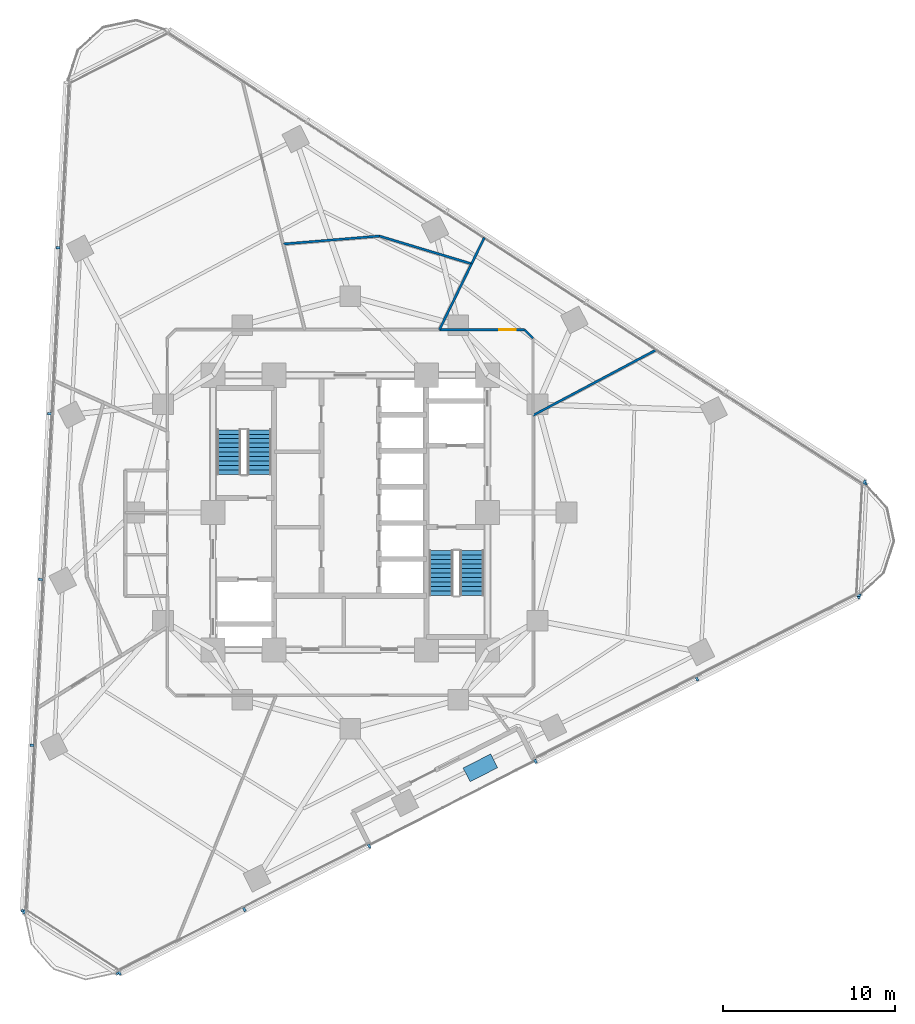
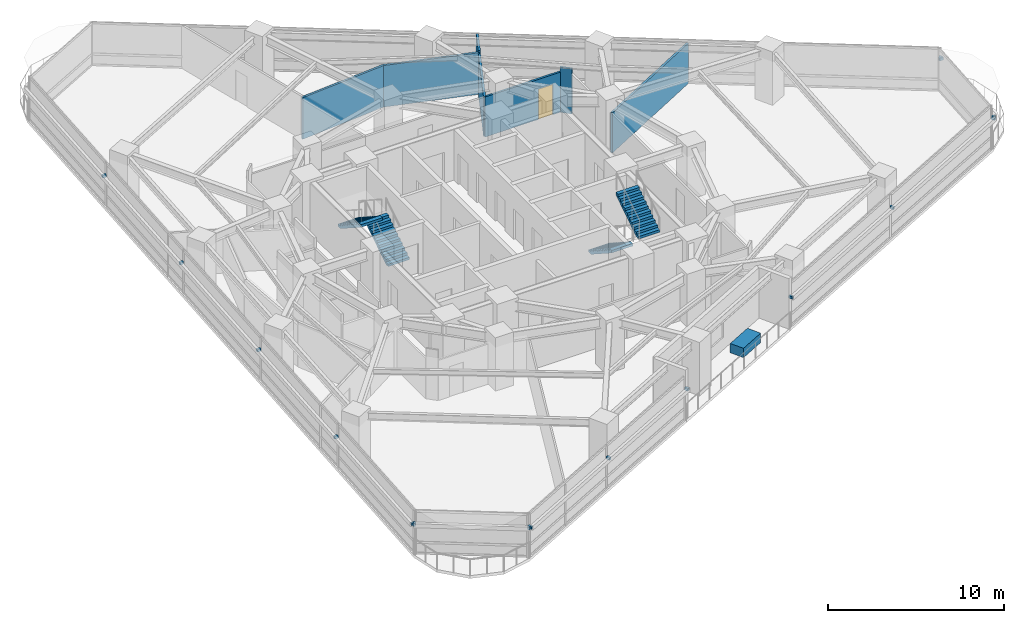
# One storey, part 10 of 14: 17 discrete accessories, 7 walls, 4 stair flights, 1 door, 1 opening, 2 elements without a shape of their own.
"""IFC4 building model written with IfcOpenShell, lengths in metres."""

from ifc_helpers import new_model, si_unit, direction, frame, frame_2d, origin, origin_2d, place, context, subcontext, project, spatial, polyline, rectangle, outline, extrude, material, layer, layer_set, type_object, element, fill, aggregate, save


model = new_model("IFC4")

# Units and contexts
model_context = context("Model", 3, precision=1e-05, world=origin(), true_north=direction((0.0, 1.0)))
body_context = subcontext(model_context, "Body", "Model", "MODEL_VIEW")
ifc_project = project(units=[si_unit("LENGTHUNIT", "METRE"), si_unit("AREAUNIT", "SQUARE_METRE"), si_unit("VOLUMEUNIT", "CUBIC_METRE"), si_unit("PLANEANGLEUNIT", "RADIAN"), si_unit("MASSUNIT", "GRAM", prefix="KILO")], contexts=[model_context])

# Site, building, storey
site_placement = place(None, origin())
site = spatial("IfcSite", under=ifc_project, at=site_placement, CompositionType="ELEMENT")
building_placement = place(site_placement, origin())
building = spatial("IfcBuilding", under=site, at=building_placement, Name="Terralouvre Media Tower", CompositionType="ELEMENT")
storey_placement = place(building_placement, frame((0.0, 0.0, 131.0)))
storey = spatial("IfcBuildingStorey", under=building, at=storey_placement, Name="L33", CompositionType="ELEMENT", Elevation=131.0)

# Wall
ifc_material_1 = material(Name="Fire-rated gypsum board drywall partition")
ifc_layer = layer(ifc_material_1, 0.135009765625, Name="Newsroom Acoustic Partition PT-135")
ifc_layer_set = layer_set([ifc_layer], Name="Fire-rated gypsum board drywall partition")
wall_type = type_object("IfcWallType", Name="Newsroom Acoustic Partition PT-135", PredefinedType="PARTITIONING", material=ifc_layer_set)
wall_1_placement = place(storey_placement, frame((10.64990234375, 10.14990234375, 0.0), z_axis=(0.0, 0.0, 1.0), x_axis=(-0.707106781187, 0.707106781187, 0.0)))
element("IfcWall", 1, at=wall_1_placement, inside=storey, type_object=wall_type, Name="L33 Interior Partition 013", PredefinedType="PARTITIONING", context=body_context, shape_type="SweptSolid", body=[
    extrude(rectangle(XDim=0.70703125, YDim=0.135009765625, at=frame_2d((0.353515625, 0.0))), origin(), (0.0, 0.0, 1.0), 3.125),
])

# Wall, opening, door
wall_2_placement = place(storey_placement, frame((10.14990234375, 10.64990234375, 0.0), z_axis=(0.0, 0.0, 1.0), x_axis=(-1.0, 0.0, 0.0)))
wall_2 = element("IfcWall", 2, at=wall_2_placement, inside=storey, type_object=wall_type, Name="L33 Interior Partition 014", PredefinedType="PARTITIONING", context=body_context, shape_type="SweptSolid", body=[
    extrude(rectangle(XDim=4.955810546875, YDim=0.135009765625, at=frame_2d((2.47802734375, 0.0))), origin(), (0.0, 0.0, 1.0), 2.784912109375),
])
opening_placement = place(wall_2_placement, frame((0.51611328125, 0.0, 0.0)))
opening = element("IfcOpeningElement", 3, at=opening_placement, cuts=wall_2, Name="Opening ID-02-95X210", PredefinedType="OPENING", context=body_context, shape_type="SweptSolid", body=[
    extrude(rectangle(XDim=0.949951171875, YDim=2.10009765625, at=frame_2d((0.47509765625, 1.050048828125))), frame((0.0, 0.077392578125, 0.0), z_axis=(0.0, -1.0, 0.0), x_axis=(1.0, 0.0, 0.0)), (0.0, 0.0, 1.0), 0.155029296875),
])
ifc_material_2 = material(Name="Engineered hardwood acoustic timber leaf", Category="wood")
door_type = type_object("IfcDoorType", Name="Office and Meeting Room Door ID-02 (950x2100)", OperationType="NOTDEFINED", PredefinedType="DOOR", material=ifc_material_2)
door_placement = place(opening_placement, origin())
door = element("IfcDoor", 4, at=door_placement, inside=storey, type_object=door_type, Name="L33 Literary Salon Lounge 6 Door", OperationType="SINGLE_SWING_RIGHT", OverallHeight=2.10009765625, OverallWidth=0.949951171875, PredefinedType="DOOR", context=body_context, shape_type="SweptSolid", body=[
    extrude(rectangle(XDim=0.949951171875, YDim=2.10009765625, at=frame_2d((0.47509765625, 1.050048828125))), frame((0.0, 0.02490234375, 0.0), z_axis=(0.0, -1.0, 0.0), x_axis=(1.0, 0.0, 0.0)), (0.0, 0.0, 1.0), 0.050048828125),
])
fill(opening, door)

# Walls
wall_3_placement = place(storey_placement, frame((17.8603515625, 9.49658203125, 0.0), z_axis=(0.0, 0.0, 1.0), x_axis=(-0.882966259968, -0.469436453376, 0.0)))
element("IfcWall", 5, at=wall_3_placement, inside=storey, type_object=wall_type, Name="L33 Interior Partition 036", PredefinedType="PARTITIONING", context=body_context, shape_type="SweptSolid", body=[
    extrude(rectangle(XDim=8.166259765625, YDim=0.135009765625, at=frame_2d((4.0830078125, 0.0))), origin(), (0.0, 0.0, 1.0), 2.784912109375),
])
wall_4_placement = place(storey_placement, frame((7.069091796875, 14.492919921875, 0.0), z_axis=(0.0, 0.0, 1.0), x_axis=(-0.438491124388, -0.898735519401, 0.0)))
element("IfcWall", 6, at=wall_4_placement, inside=storey, type_object=wall_type, Name="L33 Interior Partition 037", PredefinedType="PARTITIONING", context=body_context, shape_type="SweptSolid", body=[
    extrude(rectangle(XDim=4.276123046875, YDim=0.135009765625, at=frame_2d((2.13818359375, 0.0))), origin(), (0.0, 0.0, 1.0), 2.784912109375),
])
wall_5_placement = place(storey_placement, frame((7.8134765625, 16.02099609375, 0.0), z_axis=(0.0, 0.0, 1.0), x_axis=(-0.437939658317, -0.899004369107, 0.0)))
element("IfcWall", 7, at=wall_5_placement, inside=storey, type_object=wall_type, Name="L33 Interior Partition 038", PredefinedType="PARTITIONING", context=body_context, shape_type="SweptSolid", body=[
    extrude(rectangle(XDim=1.69970703125, YDim=0.135009765625, at=frame_2d((0.849853515625, 0.0))), origin(), (0.0, 0.0, 1.0), 2.985107421875),
])
wall_6_placement = place(storey_placement, frame((7.069091796875, 14.492919921875, 0.0), z_axis=(0.0, 0.0, 1.0), x_axis=(-0.957562573124, 0.288225464789, 0.0)))
element("IfcWall", 8, at=wall_6_placement, inside=storey, type_object=wall_type, Name="L33 Interior Partition 039", PredefinedType="PARTITIONING", context=body_context, shape_type="SweptSolid", body=[
    extrude(rectangle(XDim=5.6142578125, YDim=0.135009765625, at=frame_2d((2.80712890625, 0.0))), origin(), (0.0, 0.0, 1.0), 2.885009765625),
])
wall_7_placement = place(storey_placement, frame((1.693115234375, 16.111083984375, 0.0), z_axis=(0.0, 0.0, 1.0), x_axis=(-0.996561637531, -0.082854707786, 0.0)))
element("IfcWall", 9, at=wall_7_placement, inside=storey, type_object=wall_type, Name="L33 Interior Partition 040", PredefinedType="PARTITIONING", context=body_context, shape_type="SweptSolid", body=[
    extrude(rectangle(XDim=5.61328125, YDim=0.135009765625, at=frame_2d((2.806640625, 0.0))), origin(), (0.0, 0.0, 1.0), 2.885009765625),
])

# Stair, stair flights
ifc_material_3 = material(Name="Concrete C45/55", Category="concrete")
stair_type_1 = type_object("IfcStairType", Name="Dogleg Stair Assembly ST-01", PredefinedType="HALF_TURN_STAIR", material=ifc_material_3)
stair_1_placement = place(storey_placement, origin())
stair_1 = element("IfcStair", 10, at=stair_1_placement, inside=storey, type_object=stair_type_1, Name="L33 Core Pressurised Exit Stair ST-01", PredefinedType="HALF_TURN_STAIR")
ifc_material_4 = material(Name="Concrete C45/55", Category="concrete")
stair_flight_type = type_object("IfcStairFlightType", Name="Reinforced Concrete Stair Flight SF-RC1", PredefinedType="STRAIGHT", material=ifc_material_4)
stair_flight_1_placement = place(storey_placement, frame((-5.300048828125, 2.219970703125, 0.0), z_axis=(0.0, 0.0, 1.0), x_axis=(0.0, 1.0, 0.0)))
stair_flight_1 = element("IfcStairFlight", 11, at=stair_flight_1_placement, type_object=stair_flight_type, Name="ST-01 flight 1", NumberOfRisers=11, NumberOfTreads=10, PredefinedType="STRAIGHT", RiserHeight=0.168181818, TreadLength=0.26, context=body_context, shape_type="SweptSolid", body=[
    extrude(outline(polyline([(0.0, 0.0), (0.0, 0.168212890625), (0.260009765625, 0.168212890625), (0.260009765625, 0.33642578125), (0.52001953125, 0.33642578125), (0.52001953125, 0.504638671875), (0.780029296875, 0.504638671875), (0.780029296875, 0.672607421875), (1.0400390625, 0.672607421875), (1.0400390625, 0.8408203125), (1.300048828125, 0.8408203125), (1.300048828125, 1.009033203125), (1.56005859375, 1.009033203125), (1.56005859375, 1.17724609375), (1.820068359375, 1.17724609375), (1.820068359375, 1.345458984375), (2.080078125, 1.345458984375), (2.080078125, 1.513671875), (2.340087890625, 1.513671875), (2.340087890625, 1.681884765625), (2.60009765625, 1.681884765625), (2.60009765625, 1.85009765625), (2.60009765625, 1.503173828125), (0.27587890625, 0.0), (0.0, 0.0)])), frame((0.0, 0.699951171875, 0.0), z_axis=(0.0, -1.0, 0.0), x_axis=(1.0, 0.0, 0.0)), (0.0, 0.0, 1.0), 1.39990234375),
])
stair_flight_2_placement = place(storey_placement, frame((-7.080078125, 4.820068359375, 1.85009765625), z_axis=(0.0, 0.0, 1.0), x_axis=(0.0, -1.0, 0.0)))
stair_flight_2 = element("IfcStairFlight", 12, at=stair_flight_2_placement, type_object=stair_flight_type, Name="ST-01 flight 2", NumberOfRisers=11, NumberOfTreads=10, PredefinedType="STRAIGHT", RiserHeight=0.168181818, TreadLength=0.26, context=body_context, shape_type="SweptSolid", body=[
    extrude(outline(polyline([(0.0, 0.0), (0.0, 0.168212890625), (0.260009765625, 0.168212890625), (0.260009765625, 0.33642578125), (0.52001953125, 0.33642578125), (0.52001953125, 0.504638671875), (0.780029296875, 0.504638671875), (0.780029296875, 0.672607421875), (1.0400390625, 0.672607421875), (1.0400390625, 0.8408203125), (1.300048828125, 0.8408203125), (1.300048828125, 1.009033203125), (1.56005859375, 1.009033203125), (1.56005859375, 1.17724609375), (1.820068359375, 1.17724609375), (1.820068359375, 1.345458984375), (2.080078125, 1.345458984375), (2.080078125, 1.513671875), (2.340087890625, 1.513671875), (2.340087890625, 1.681884765625), (2.60009765625, 1.681884765625), (2.60009765625, 1.85009765625), (2.60009765625, 1.503173828125), (0.27587890625, 0.0), (0.0, 0.0)])), frame((0.0, 0.699951171875, 0.0), z_axis=(0.0, -1.0, 0.0), x_axis=(1.0, 0.0, 0.0)), (0.0, 0.0, 1.0), 1.39990234375),
])
aggregate(stair_1, [stair_flight_1, stair_flight_2])

ifc_material_5 = material(Name="Concrete C45/55", Category="concrete")
stair_type_2 = type_object("IfcStairType", Name="Dogleg Stair Assembly ST-02", PredefinedType="HALF_TURN_STAIR", material=ifc_material_5)
stair_2_placement = place(storey_placement, origin())
stair_2 = element("IfcStair", 13, at=stair_2_placement, inside=storey, type_object=stair_type_2, Name="L33 Core Pressurised Exit Stair ST-02", PredefinedType="HALF_TURN_STAIR")
stair_flight_3_placement = place(storey_placement, frame((5.300048828125, -2.219970703125, 0.0), z_axis=(0.0, 0.0, 1.0), x_axis=(0.0, -1.0, 0.0)))
stair_flight_3 = element("IfcStairFlight", 14, at=stair_flight_3_placement, type_object=stair_flight_type, Name="ST-02 flight 1", NumberOfRisers=11, NumberOfTreads=10, PredefinedType="STRAIGHT", RiserHeight=0.168181818, TreadLength=0.26, context=body_context, shape_type="SweptSolid", body=[
    extrude(outline(polyline([(0.0, 0.0), (0.0, 0.168212890625), (0.260009765625, 0.168212890625), (0.260009765625, 0.33642578125), (0.52001953125, 0.33642578125), (0.52001953125, 0.504638671875), (0.780029296875, 0.504638671875), (0.780029296875, 0.672607421875), (1.0400390625, 0.672607421875), (1.0400390625, 0.8408203125), (1.300048828125, 0.8408203125), (1.300048828125, 1.009033203125), (1.56005859375, 1.009033203125), (1.56005859375, 1.17724609375), (1.820068359375, 1.17724609375), (1.820068359375, 1.345458984375), (2.080078125, 1.345458984375), (2.080078125, 1.513671875), (2.340087890625, 1.513671875), (2.340087890625, 1.681884765625), (2.60009765625, 1.681884765625), (2.60009765625, 1.85009765625), (2.60009765625, 1.503173828125), (0.27587890625, 0.0), (0.0, 0.0)])), frame((0.0, 0.699951171875, 0.0), z_axis=(0.0, -1.0, 0.0), x_axis=(1.0, 0.0, 0.0)), (0.0, 0.0, 1.0), 1.39990234375),
])
stair_flight_4_placement = place(storey_placement, frame((7.080078125, -4.820068359375, 1.85009765625), z_axis=(0.0, 0.0, 1.0), x_axis=(0.0, 1.0, 0.0)))
stair_flight_4 = element("IfcStairFlight", 15, at=stair_flight_4_placement, type_object=stair_flight_type, Name="ST-02 flight 2", NumberOfRisers=11, NumberOfTreads=10, PredefinedType="STRAIGHT", RiserHeight=0.168181818, TreadLength=0.26, context=body_context, shape_type="SweptSolid", body=[
    extrude(outline(polyline([(0.0, 0.0), (0.0, 0.168212890625), (0.260009765625, 0.168212890625), (0.260009765625, 0.33642578125), (0.52001953125, 0.33642578125), (0.52001953125, 0.504638671875), (0.780029296875, 0.504638671875), (0.780029296875, 0.672607421875), (1.0400390625, 0.672607421875), (1.0400390625, 0.8408203125), (1.300048828125, 0.8408203125), (1.300048828125, 1.009033203125), (1.56005859375, 1.009033203125), (1.56005859375, 1.17724609375), (1.820068359375, 1.17724609375), (1.820068359375, 1.345458984375), (2.080078125, 1.345458984375), (2.080078125, 1.513671875), (2.340087890625, 1.513671875), (2.340087890625, 1.681884765625), (2.60009765625, 1.681884765625), (2.60009765625, 1.85009765625), (2.60009765625, 1.503173828125), (0.27587890625, 0.0), (0.0, 0.0)])), frame((0.0, 0.699951171875, 0.0), z_axis=(0.0, -1.0, 0.0), x_axis=(1.0, 0.0, 0.0)), (0.0, 0.0, 1.0), 1.39990234375),
])
aggregate(stair_2, [stair_flight_3, stair_flight_4])

# Discrete accessories
ifc_material_6 = material(Name="Anodised extruded aluminium 6063-T6", Category="aluminium")
discrete_accessory_type_1 = type_object("IfcDiscreteAccessoryType", Name="Mullion Stand-Off Baguette Fixing Bracket BK-01", PredefinedType="BRACKET", material=ifc_material_6)
for number, where, z_axis, x_axis, name in (
    (16, (-13.442626953125, -26.840087890625, 2.07421875), (0.0, 0.0, 1.0), (0.891006665419, 0.453990222559, 0.0), "CW-L33-F0L Baguette Outrigger Bracket 1.01"),
    (17, (-6.169677734375, -23.13427734375, 2.07421875), (0.0, 0.0, 1.0), (0.891006665419, 0.453990222559, 0.0), "CW-L33-F0L Baguette Outrigger Bracket 1.02"),
    (18, (1.103271484375, -19.4287109375, 2.07421875), (0.0, 0.0, 1.0), (0.891006665419, 0.453990222559, 0.0), "CW-L33-F0L Baguette Outrigger Bracket 1.03"),
    (19, (10.79296875, -14.491455078125, 2.07421875), (0.0, 0.0, 1.0), (0.89100612853, 0.453991276263, 0.0), "CW-L33-F0R Baguette Outrigger Bracket 1.01"),
    (20, (20.2041015625, -9.6962890625, 2.07421875), (0.0, 0.0, 1.0), (0.89100612853, 0.453991276263, 0.0), "CW-L33-F0R Baguette Outrigger Bracket 1.02"),
    (21, (29.615478515625, -4.90087890625, 2.07421875), (0.0, 0.0, 1.0), (0.89100612853, 0.453991276263, 0.0), "CW-L33-F0R Baguette Outrigger Bracket 1.03"),
    (22, (29.96533203125, 1.778564453125, 2.07421875), (0.0, 0.0, 1.0), (-0.838670588944, 0.544639002681, 0.0), "CW-L33-F1 Baguette Outrigger Bracket 1.01"),
    (23, (-17.027587890625, 15.432373046875, 2.07421875), (0.0, 0.0, 1.0), (-0.052335949864, -0.998629535089, 0.0), "CW-L33-F2 Baguette Outrigger Bracket 1.02"),
    (24, (-17.5341796875, 5.765625, 2.07421875), (0.0, 0.0, 1.0), (-0.052335949864, -0.998629535089, 0.0), "CW-L33-F2 Baguette Outrigger Bracket 1.03"),
    (25, (-18.040771484375, -3.901123046875, 2.07421875), (0.0, 0.0, 1.0), (-0.052335949864, -0.998629535089, 0.0), "CW-L33-F2 Baguette Outrigger Bracket 1.04"),
    (26, (-18.54736328125, -13.56787109375, 2.07421875), (0.0, 0.0, 1.0), (-0.052335949864, -0.998629535089, 0.0), "CW-L33-F2 Baguette Outrigger Bracket 1.05"),
    (27, (-19.052001953125, -23.197265625, 2.07421875), (0.0, 0.0, 1.0), (-0.052335949864, -0.998629535089, 0.0), "CW-L33-F2 Baguette Outrigger Bracket 1.06"),
    (28, (-18.993408203125, -23.27392578125, 2.07421875), (0.0, 0.0, 1.0), (0.838670390568, -0.544639308152, 0.0), "CW-L33-C0 Baguette Outrigger Bracket 1.01"),
    (29, (-13.536376953125, -26.81787109375, 2.07421875), (0.0, 0.0, 1.0), (0.838670390568, -0.544639308152, 0.0), "CW-L33-C0 Baguette Outrigger Bracket 1.02"),
    (30, (29.652587890625, -4.81201171875, 2.07421875), (0.0, 0.0, 1.0), (0.052336823006, 0.998629489329, 0.0), "CW-L33-C1 Baguette Outrigger Bracket 1.01"),
    (31, (29.9931640625, 1.68603515625, 2.07421875), (0.0, 0.0, 1.0), (0.052336823006, 0.998629489329, 0.0), "CW-L33-C1 Baguette Outrigger Bracket 1.02"),
):
    element("IfcDiscreteAccessory", number, at=place(storey_placement, frame(where, z_axis=z_axis, x_axis=x_axis)), inside=storey, type_object=discrete_accessory_type_1, Name=name, PredefinedType="BRACKET", context=body_context, shape_type="SweptSolid", body=[
        extrude(rectangle(XDim=0.139892578125, YDim=0.239990234375, at=origin_2d()), origin(), (0.0, 0.0, 1.0), 0.179931640625),
    ])
ifc_material_7 = material(Name="Kiln-fired architectural terracotta rainscreen cladding", Category="masonry")
discrete_accessory_type_2 = type_object("IfcDiscreteAccessoryType", Name="Planted Tropical Garden Bed Planter PLT-01", PredefinedType="USERDEFINED", material=ifc_material_7)
discrete_accessory_placement = place(storey_placement, frame((7.580322265625, -14.876953125, -0.0048828125), z_axis=(0.0, 0.0, 1.0), x_axis=(0.891006824407, 0.453989910528, 0.0)))
element("IfcDiscreteAccessory", 32, at=discrete_accessory_placement, inside=storey, type_object=discrete_accessory_type_2, Name="L33 SG Planted Garden Bed Planter", ObjectType="PLANTER", PredefinedType="USERDEFINED", context=body_context, shape_type="SweptSolid", body=[
    extrude(rectangle(XDim=1.800048828125, YDim=0.89990234375, at=origin_2d()), origin(), (0.0, 0.0, 1.0), 0.64990234375),
])

save(model, "model.ifc")
